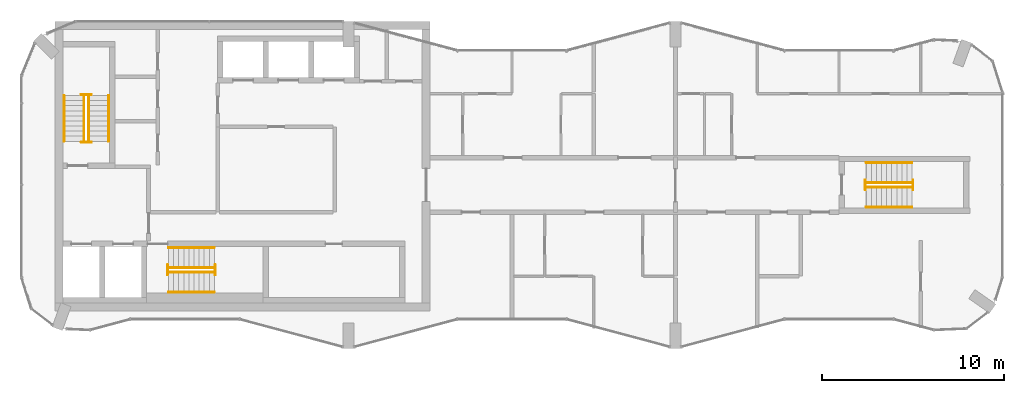
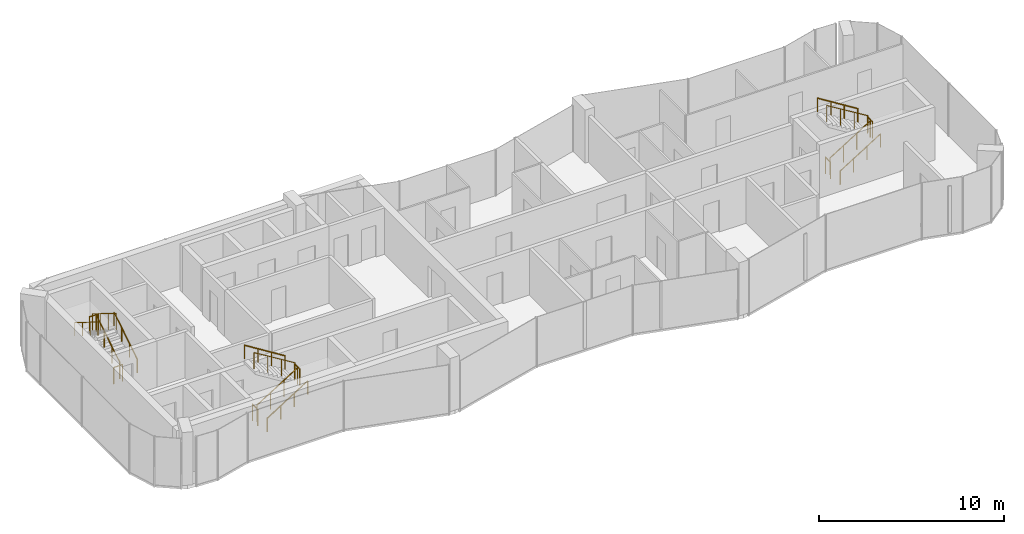
# One storey, part 10 of 10: 18 railings.
"""IFC4 building model written with IfcOpenShell, lengths in metres."""

from ifc_helpers import new_model, si_unit, direction, frame, origin, origin_2d, place, context, subcontext, project, spatial, circle, extrude, material, type_object, element, save


model = new_model("IFC4")

# Units and contexts
model_context = context("Model", 3, precision=1e-05, world=origin(), true_north=direction((0.0, 1.0)))
body_context = subcontext(model_context, "Body", "Model", "MODEL_VIEW")
ifc_project = project(units=[si_unit("LENGTHUNIT", "METRE"), si_unit("AREAUNIT", "SQUARE_METRE"), si_unit("VOLUMEUNIT", "CUBIC_METRE"), si_unit("PLANEANGLEUNIT", "RADIAN"), si_unit("MASSUNIT", "GRAM", prefix="KILO")], contexts=[model_context])

# Site, building, storey
site_placement = place(None, origin())
site = spatial("IfcSite", under=ifc_project, at=site_placement, CompositionType="ELEMENT")
building_placement = place(site_placement, origin())
building = spatial("IfcBuilding", under=site, at=building_placement, Name="Plateau Cross Towers", CompositionType="ELEMENT")
storey_placement = place(building_placement, frame((0.0, 0.0, 284.39990234375)))
storey = spatial("IfcBuildingStorey", under=building, at=storey_placement, Name="L75", CompositionType="ELEMENT", Elevation=284.39990234375)

# Railings
ifc_material_1 = material(Name="Stainless steel and toughened glass", Category="steel")
railing_type_1 = type_object("IfcRailingType", Name="RL-GUARD-1100", PredefinedType="GUARDRAIL", material=ifc_material_1)
railing_1_placement = place(storey_placement, frame((3.699951171875, 11.39990234375, 0.175048828125)))
element("IfcRailing", 1, at=railing_1_placement, inside=storey, type_object=railing_type_1, Name="L75 ST-1 stair guard 1", PredefinedType="GUARDRAIL", context=body_context, shape_type="SweptSolid", body=[
    extrude(circle(Radius=0.02392578125, at=origin_2d()), frame((0.0, 0.0, 1.076171875), z_axis=(0.0, 0.848007534815, 0.529984170421), x_axis=(-1.0, 0.0, 0.0)), (0.0, 0.0, 1.0), 2.9716796875),
    extrude(circle(Radius=0.02099609375, at=origin_2d()), origin(), (0.0, 0.0, 1.0), 1.052001953125),
    extrude(circle(Radius=0.02099609375, at=origin_2d()), frame((0.0, 0.840087890625, 0.52490234375)), (0.0, 0.0, 1.0), 1.052001953125),
    extrude(circle(Radius=0.02099609375, at=origin_2d()), frame((0.0, 1.679931640625, 1.050048828125)), (0.0, 0.0, 1.0), 1.052001953125),
    extrude(circle(Radius=0.02099609375, at=origin_2d()), frame((0.0, 2.52001953125, 1.574951171875)), (0.0, 0.0, 1.0), 1.052001953125),
])
railing_2_placement = place(storey_placement, frame((3.85009765625, 13.969970703125, 1.75)))
element("IfcRailing", 2, at=railing_2_placement, inside=storey, type_object=railing_type_1, Name="L75 ST-1 stair guard 2", PredefinedType="GUARDRAIL", context=body_context, shape_type="SweptSolid", body=[
    extrude(circle(Radius=0.02392578125, at=origin_2d()), frame((0.0, 0.0, 1.076171875), z_axis=(-1.0, 0.0, 0.0), x_axis=(0.0, -1.0, 0.0)), (0.0, 0.0, 1.0), 0.550048828125),
    extrude(circle(Radius=0.02099609375, at=origin_2d()), origin(), (0.0, 0.0, 1.0), 1.052001953125),
    extrude(circle(Radius=0.02099609375, at=origin_2d()), frame((-0.550048828125, 0.0, 0.0)), (0.0, 0.0, 1.0), 1.052001953125),
])
railing_3_placement = place(storey_placement, frame((3.449951171875, 13.919921875, 1.925048828125)))
element("IfcRailing", 3, at=railing_3_placement, inside=storey, type_object=railing_type_1, Name="L75 ST-1 stair guard 3", PredefinedType="GUARDRAIL", context=body_context, shape_type="SweptSolid", body=[
    extrude(circle(Radius=0.02392578125, at=origin_2d()), frame((0.0, 0.0, 1.076171875), z_axis=(0.0, -0.852616386126, 0.522537365276), x_axis=(1.0, 0.0, 0.0)), (0.0, 0.0, 1.0), 3.01416015625),
    extrude(circle(Radius=0.02099609375, at=origin_2d()), origin(), (0.0, 0.0, 1.0), 1.052001953125),
    extrude(circle(Radius=0.02099609375, at=origin_2d()), frame((0.0, -0.856689453125, 0.52490234375)), (0.0, 0.0, 1.0), 1.052001953125),
    extrude(circle(Radius=0.02099609375, at=origin_2d()), frame((0.0, -1.713134765625, 1.050048828125)), (0.0, 0.0, 1.0), 1.052001953125),
    extrude(circle(Radius=0.02099609375, at=origin_2d()), frame((0.0, -2.56982421875, 1.574951171875)), (0.0, 0.0, 1.0), 1.052001953125),
])
railing_4_placement = place(storey_placement, frame((3.85009765625, 11.35009765625, 0.0)))
element("IfcRailing", 4, at=railing_4_placement, inside=storey, type_object=railing_type_1, Name="L75 ST-1 stair guard 4", PredefinedType="GUARDRAIL", context=body_context, shape_type="SweptSolid", body=[
    extrude(circle(Radius=0.02392578125, at=origin_2d()), frame((0.0, 0.0, 1.076171875), z_axis=(-1.0, 0.0, 0.0), x_axis=(0.0, -1.0, 0.0)), (0.0, 0.0, 1.0), 0.550048828125),
    extrude(circle(Radius=0.02099609375, at=origin_2d()), origin(), (0.0, 0.0, 1.0), 1.052001953125),
    extrude(circle(Radius=0.02099609375, at=origin_2d()), frame((-0.550048828125, 0.0, 0.0)), (0.0, 0.0, 1.0), 1.052001953125),
])
railing_5_placement = place(storey_placement, frame((8.10009765625, 4.199951171875, 0.175048828125)))
element("IfcRailing", 5, at=railing_5_placement, inside=storey, type_object=railing_type_1, Name="L75 ST-2 stair guard 1", PredefinedType="GUARDRAIL", context=body_context, shape_type="SweptSolid", body=[
    extrude(circle(Radius=0.02392578125, at=origin_2d()), frame((0.0, 0.0, 1.076171875), z_axis=(0.848007534815, 0.0, 0.529984170421), x_axis=(0.0, 1.0, 0.0)), (0.0, 0.0, 1.0), 2.9716796875),
    extrude(circle(Radius=0.02099609375, at=origin_2d()), origin(), (0.0, 0.0, 1.0), 1.052001953125),
    extrude(circle(Radius=0.02099609375, at=origin_2d()), frame((0.840087890625, 0.0, 0.52490234375)), (0.0, 0.0, 1.0), 1.052001953125),
    extrude(circle(Radius=0.02099609375, at=origin_2d()), frame((1.679931640625, 0.0, 1.050048828125)), (0.0, 0.0, 1.0), 1.052001953125),
    extrude(circle(Radius=0.02099609375, at=origin_2d()), frame((2.52001953125, 0.0, 1.574951171875)), (0.0, 0.0, 1.0), 1.052001953125),
])
railing_6_placement = place(storey_placement, frame((10.669921875, 4.050048828125, 1.75)))
element("IfcRailing", 6, at=railing_6_placement, inside=storey, type_object=railing_type_1, Name="L75 ST-2 stair guard 2", PredefinedType="GUARDRAIL", context=body_context, shape_type="SweptSolid", body=[
    extrude(circle(Radius=0.02392578125, at=origin_2d()), frame((0.0, 0.0, 1.076171875), z_axis=(0.0, 1.0, 0.0), x_axis=(-1.0, 0.0, 0.0)), (0.0, 0.0, 1.0), 0.550048828125),
    extrude(circle(Radius=0.02099609375, at=origin_2d()), origin(), (0.0, 0.0, 1.0), 1.052001953125),
    extrude(circle(Radius=0.02099609375, at=origin_2d()), frame((0.0, 0.550048828125, 0.0)), (0.0, 0.0, 1.0), 1.052001953125),
])
railing_7_placement = place(storey_placement, frame((10.6201171875, 4.449951171875, 1.925048828125)))
element("IfcRailing", 7, at=railing_7_placement, inside=storey, type_object=railing_type_1, Name="L75 ST-2 stair guard 3", PredefinedType="GUARDRAIL", context=body_context, shape_type="SweptSolid", body=[
    extrude(circle(Radius=0.02392578125, at=origin_2d()), frame((0.0, 0.0, 1.076171875), z_axis=(-0.852638500773, 0.0, 0.522501279423), x_axis=(0.0, -1.0, 0.0)), (0.0, 0.0, 1.0), 3.01416015625),
    extrude(circle(Radius=0.02099609375, at=origin_2d()), origin(), (0.0, 0.0, 1.0), 1.052001953125),
    extrude(circle(Radius=0.02099609375, at=origin_2d()), frame((-0.856689453125, 0.0, 0.52490234375)), (0.0, 0.0, 1.0), 1.052001953125),
    extrude(circle(Radius=0.02099609375, at=origin_2d()), frame((-1.71337890625, 0.0, 1.050048828125)), (0.0, 0.0, 1.0), 1.052001953125),
    extrude(circle(Radius=0.02099609375, at=origin_2d()), frame((-2.570068359375, 0.0, 1.574951171875)), (0.0, 0.0, 1.0), 1.052001953125),
])
railing_8_placement = place(storey_placement, frame((8.050048828125, 4.050048828125, 0.0)))
element("IfcRailing", 8, at=railing_8_placement, inside=storey, type_object=railing_type_1, Name="L75 ST-2 stair guard 4", PredefinedType="GUARDRAIL", context=body_context, shape_type="SweptSolid", body=[
    extrude(circle(Radius=0.02392578125, at=origin_2d()), frame((0.0, 0.0, 1.076171875), z_axis=(0.0, 1.0, 0.0), x_axis=(-1.0, 0.0, 0.0)), (0.0, 0.0, 1.0), 0.550048828125),
    extrude(circle(Radius=0.02099609375, at=origin_2d()), origin(), (0.0, 0.0, 1.0), 1.052001953125),
    extrude(circle(Radius=0.02099609375, at=origin_2d()), frame((0.0, 0.550048828125, 0.0)), (0.0, 0.0, 1.0), 1.052001953125),
])
railing_9_placement = place(storey_placement, frame((46.5, 8.875, 0.175048828125)))
element("IfcRailing", 9, at=railing_9_placement, inside=storey, type_object=railing_type_1, Name="L75 ES-E stair guard 1", PredefinedType="GUARDRAIL", context=body_context, shape_type="SweptSolid", body=[
    extrude(circle(Radius=0.02392578125, at=origin_2d()), frame((0.0, 0.0, 1.076171875), z_axis=(0.848007534815, 0.0, 0.529984170421), x_axis=(0.0, 1.0, 0.0)), (0.0, 0.0, 1.0), 2.9716796875),
    extrude(circle(Radius=0.02099609375, at=origin_2d()), origin(), (0.0, 0.0, 1.0), 1.052001953125),
    extrude(circle(Radius=0.02099609375, at=origin_2d()), frame((0.840087890625, 0.0, 0.52490234375)), (0.0, 0.0, 1.0), 1.052001953125),
    extrude(circle(Radius=0.02099609375, at=origin_2d()), frame((1.679931640625, 0.0, 1.050048828125)), (0.0, 0.0, 1.0), 1.052001953125),
    extrude(circle(Radius=0.02099609375, at=origin_2d()), frame((2.52001953125, 0.0, 1.574951171875)), (0.0, 0.0, 1.0), 1.052001953125),
])
railing_10_placement = place(storey_placement, frame((49.070068359375, 8.72509765625, 1.75)))
element("IfcRailing", 10, at=railing_10_placement, inside=storey, type_object=railing_type_1, Name="L75 ES-E stair guard 2", PredefinedType="GUARDRAIL", context=body_context, shape_type="SweptSolid", body=[
    extrude(circle(Radius=0.02392578125, at=origin_2d()), frame((0.0, 0.0, 1.076171875), z_axis=(0.0, 1.0, 0.0), x_axis=(-1.0, 0.0, 0.0)), (0.0, 0.0, 1.0), 0.5498046875),
    extrude(circle(Radius=0.02099609375, at=origin_2d()), origin(), (0.0, 0.0, 1.0), 1.052001953125),
    extrude(circle(Radius=0.02099609375, at=origin_2d()), frame((0.0, 0.5498046875, 0.0)), (0.0, 0.0, 1.0), 1.052001953125),
])
railing_11_placement = place(storey_placement, frame((49.02001953125, 9.125, 1.925048828125)))
element("IfcRailing", 11, at=railing_11_placement, inside=storey, type_object=railing_type_1, Name="L75 ES-E stair guard 3", PredefinedType="GUARDRAIL", context=body_context, shape_type="SweptSolid", body=[
    extrude(circle(Radius=0.02392578125, at=origin_2d()), frame((0.0, 0.0, 1.076171875), z_axis=(-0.852638500773, 0.0, 0.522501279423), x_axis=(0.0, -1.0, 0.0)), (0.0, 0.0, 1.0), 3.01416015625),
    extrude(circle(Radius=0.02099609375, at=origin_2d()), origin(), (0.0, 0.0, 1.0), 1.052001953125),
    extrude(circle(Radius=0.02099609375, at=origin_2d()), frame((-0.856689453125, 0.0, 0.52490234375)), (0.0, 0.0, 1.0), 1.052001953125),
    extrude(circle(Radius=0.02099609375, at=origin_2d()), frame((-1.71337890625, 0.0, 1.050048828125)), (0.0, 0.0, 1.0), 1.052001953125),
    extrude(circle(Radius=0.02099609375, at=origin_2d()), frame((-2.570068359375, 0.0, 1.574951171875)), (0.0, 0.0, 1.0), 1.052001953125),
])
railing_12_placement = place(storey_placement, frame((46.449951171875, 8.72509765625, 0.0)))
element("IfcRailing", 12, at=railing_12_placement, inside=storey, type_object=railing_type_1, Name="L75 ES-E stair guard 4", PredefinedType="GUARDRAIL", context=body_context, shape_type="SweptSolid", body=[
    extrude(circle(Radius=0.02392578125, at=origin_2d()), frame((0.0, 0.0, 1.076171875), z_axis=(0.0, 1.0, 0.0), x_axis=(-1.0, 0.0, 0.0)), (0.0, 0.0, 1.0), 0.5498046875),
    extrude(circle(Radius=0.02099609375, at=origin_2d()), origin(), (0.0, 0.0, 1.0), 1.052001953125),
    extrude(circle(Radius=0.02099609375, at=origin_2d()), frame((0.0, 0.5498046875, 0.0)), (0.0, 0.0, 1.0), 1.052001953125),
])
ifc_material_2 = material(Name="Black anodised aluminium", Category="aluminium")
railing_type_2 = type_object("IfcRailingType", Name="RL-HANDRAIL-900", PredefinedType="HANDRAIL", material=ifc_material_2)
railing_13_placement = place(storey_placement, frame((4.800048828125, 11.39990234375, 0.175048828125)))
element("IfcRailing", 13, at=railing_13_placement, inside=storey, type_object=railing_type_2, Name="L75 ST-1 stair handrail 1", PredefinedType="HANDRAIL", context=body_context, shape_type="SweptSolid", body=[
    extrude(circle(Radius=0.02392578125, at=origin_2d()), frame((0.0, 0.0, 0.8759765625), z_axis=(0.0, 0.848007534815, 0.529984170421), x_axis=(-1.0, 0.0, 0.0)), (0.0, 0.0, 1.0), 2.9716796875),
    extrude(circle(Radius=0.02099609375, at=origin_2d()), origin(), (0.0, 0.0, 1.0), 0.851806640625),
    extrude(circle(Radius=0.02099609375, at=origin_2d()), frame((0.0, 0.840087890625, 0.52490234375)), (0.0, 0.0, 1.0), 0.851806640625),
    extrude(circle(Radius=0.02099609375, at=origin_2d()), frame((0.0, 1.679931640625, 1.050048828125)), (0.0, 0.0, 1.0), 0.851806640625),
    extrude(circle(Radius=0.02099609375, at=origin_2d()), frame((0.0, 2.52001953125, 1.574951171875)), (0.0, 0.0, 1.0), 0.851806640625),
])
railing_14_placement = place(storey_placement, frame((2.35009765625, 13.919921875, 1.925048828125)))
element("IfcRailing", 14, at=railing_14_placement, inside=storey, type_object=railing_type_2, Name="L75 ST-1 stair handrail 2", PredefinedType="HANDRAIL", context=body_context, shape_type="SweptSolid", body=[
    extrude(circle(Radius=0.02392578125, at=origin_2d()), frame((0.0, 0.0, 0.8759765625), z_axis=(0.0, -0.848007534815, 0.529984170421), x_axis=(1.0, 0.0, 0.0)), (0.0, 0.0, 1.0), 2.9716796875),
    extrude(circle(Radius=0.02099609375, at=origin_2d()), origin(), (0.0, 0.0, 1.0), 0.851806640625),
    extrude(circle(Radius=0.02099609375, at=origin_2d()), frame((0.0, -0.840087890625, 0.52490234375)), (0.0, 0.0, 1.0), 0.851806640625),
    extrude(circle(Radius=0.02099609375, at=origin_2d()), frame((0.0, -1.679931640625, 1.050048828125)), (0.0, 0.0, 1.0), 0.851806640625),
    extrude(circle(Radius=0.02099609375, at=origin_2d()), frame((0.0, -2.52001953125, 1.574951171875)), (0.0, 0.0, 1.0), 0.851806640625),
])
railing_15_placement = place(storey_placement, frame((8.10009765625, 3.10009765625, 0.175048828125)))
element("IfcRailing", 15, at=railing_15_placement, inside=storey, type_object=railing_type_2, Name="L75 ST-2 stair handrail 1", PredefinedType="HANDRAIL", context=body_context, shape_type="SweptSolid", body=[
    extrude(circle(Radius=0.02392578125, at=origin_2d()), frame((0.0, 0.0, 0.8759765625), z_axis=(0.848007534815, 0.0, 0.529984170421), x_axis=(0.0, 1.0, 0.0)), (0.0, 0.0, 1.0), 2.9716796875),
    extrude(circle(Radius=0.02099609375, at=origin_2d()), origin(), (0.0, 0.0, 1.0), 0.851806640625),
    extrude(circle(Radius=0.02099609375, at=origin_2d()), frame((0.840087890625, 0.0, 0.52490234375)), (0.0, 0.0, 1.0), 0.851806640625),
    extrude(circle(Radius=0.02099609375, at=origin_2d()), frame((1.679931640625, 0.0, 1.050048828125)), (0.0, 0.0, 1.0), 0.851806640625),
    extrude(circle(Radius=0.02099609375, at=origin_2d()), frame((2.52001953125, 0.0, 1.574951171875)), (0.0, 0.0, 1.0), 0.851806640625),
])
railing_16_placement = place(storey_placement, frame((10.6201171875, 5.550048828125, 1.925048828125)))
element("IfcRailing", 16, at=railing_16_placement, inside=storey, type_object=railing_type_2, Name="L75 ST-2 stair handrail 2", PredefinedType="HANDRAIL", context=body_context, shape_type="SweptSolid", body=[
    extrude(circle(Radius=0.02392578125, at=origin_2d()), frame((0.0, 0.0, 0.8759765625), z_axis=(-0.848007534815, 0.0, 0.529984170421), x_axis=(0.0, -1.0, 0.0)), (0.0, 0.0, 1.0), 2.9716796875),
    extrude(circle(Radius=0.02099609375, at=origin_2d()), origin(), (0.0, 0.0, 1.0), 0.851806640625),
    extrude(circle(Radius=0.02099609375, at=origin_2d()), frame((-0.840087890625, 0.0, 0.52490234375)), (0.0, 0.0, 1.0), 0.851806640625),
    extrude(circle(Radius=0.02099609375, at=origin_2d()), frame((-1.679931640625, 0.0, 1.050048828125)), (0.0, 0.0, 1.0), 0.851806640625),
    extrude(circle(Radius=0.02099609375, at=origin_2d()), frame((-2.52001953125, 0.0, 1.574951171875)), (0.0, 0.0, 1.0), 0.851806640625),
])
railing_17_placement = place(storey_placement, frame((46.5, 7.77490234375, 0.175048828125)))
element("IfcRailing", 17, at=railing_17_placement, inside=storey, type_object=railing_type_2, Name="L75 ES-E stair handrail 1", PredefinedType="HANDRAIL", context=body_context, shape_type="SweptSolid", body=[
    extrude(circle(Radius=0.02392578125, at=origin_2d()), frame((0.0, 0.0, 0.8759765625), z_axis=(0.848007534815, 0.0, 0.529984170421), x_axis=(0.0, 1.0, 0.0)), (0.0, 0.0, 1.0), 2.9716796875),
    extrude(circle(Radius=0.02099609375, at=origin_2d()), origin(), (0.0, 0.0, 1.0), 0.851806640625),
    extrude(circle(Radius=0.02099609375, at=origin_2d()), frame((0.840087890625, 0.0, 0.52490234375)), (0.0, 0.0, 1.0), 0.851806640625),
    extrude(circle(Radius=0.02099609375, at=origin_2d()), frame((1.679931640625, 0.0, 1.050048828125)), (0.0, 0.0, 1.0), 0.851806640625),
    extrude(circle(Radius=0.02099609375, at=origin_2d()), frame((2.52001953125, 0.0, 1.574951171875)), (0.0, 0.0, 1.0), 0.851806640625),
])
railing_18_placement = place(storey_placement, frame((49.02001953125, 10.22509765625, 1.925048828125)))
element("IfcRailing", 18, at=railing_18_placement, inside=storey, type_object=railing_type_2, Name="L75 ES-E stair handrail 2", PredefinedType="HANDRAIL", context=body_context, shape_type="SweptSolid", body=[
    extrude(circle(Radius=0.02392578125, at=origin_2d()), frame((0.0, 0.0, 0.8759765625), z_axis=(-0.848007534815, 0.0, 0.529984170421), x_axis=(0.0, -1.0, 0.0)), (0.0, 0.0, 1.0), 2.9716796875),
    extrude(circle(Radius=0.02099609375, at=origin_2d()), origin(), (0.0, 0.0, 1.0), 0.851806640625),
    extrude(circle(Radius=0.02099609375, at=origin_2d()), frame((-0.840087890625, 0.0, 0.52490234375)), (0.0, 0.0, 1.0), 0.851806640625),
    extrude(circle(Radius=0.02099609375, at=origin_2d()), frame((-1.679931640625, 0.0, 1.050048828125)), (0.0, 0.0, 1.0), 0.851806640625),
    extrude(circle(Radius=0.02099609375, at=origin_2d()), frame((-2.52001953125, 0.0, 1.574951171875)), (0.0, 0.0, 1.0), 0.851806640625),
])

save(model, "model.ifc")
